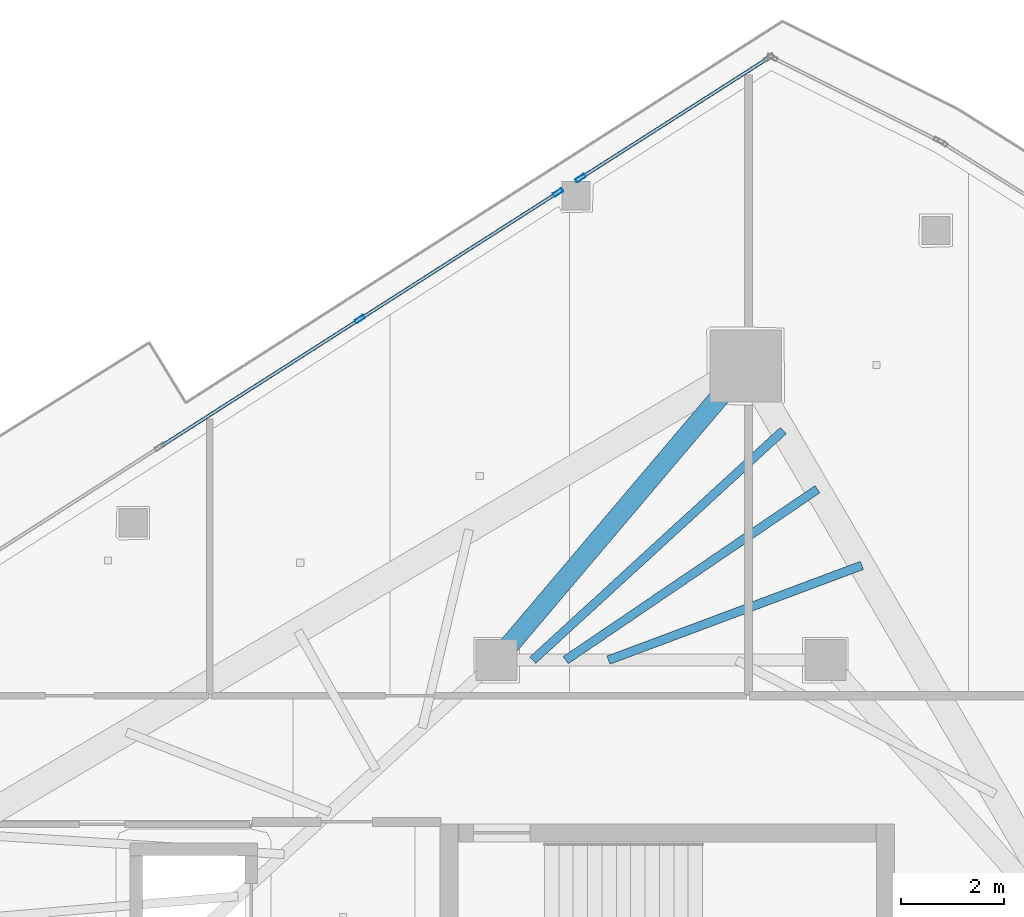
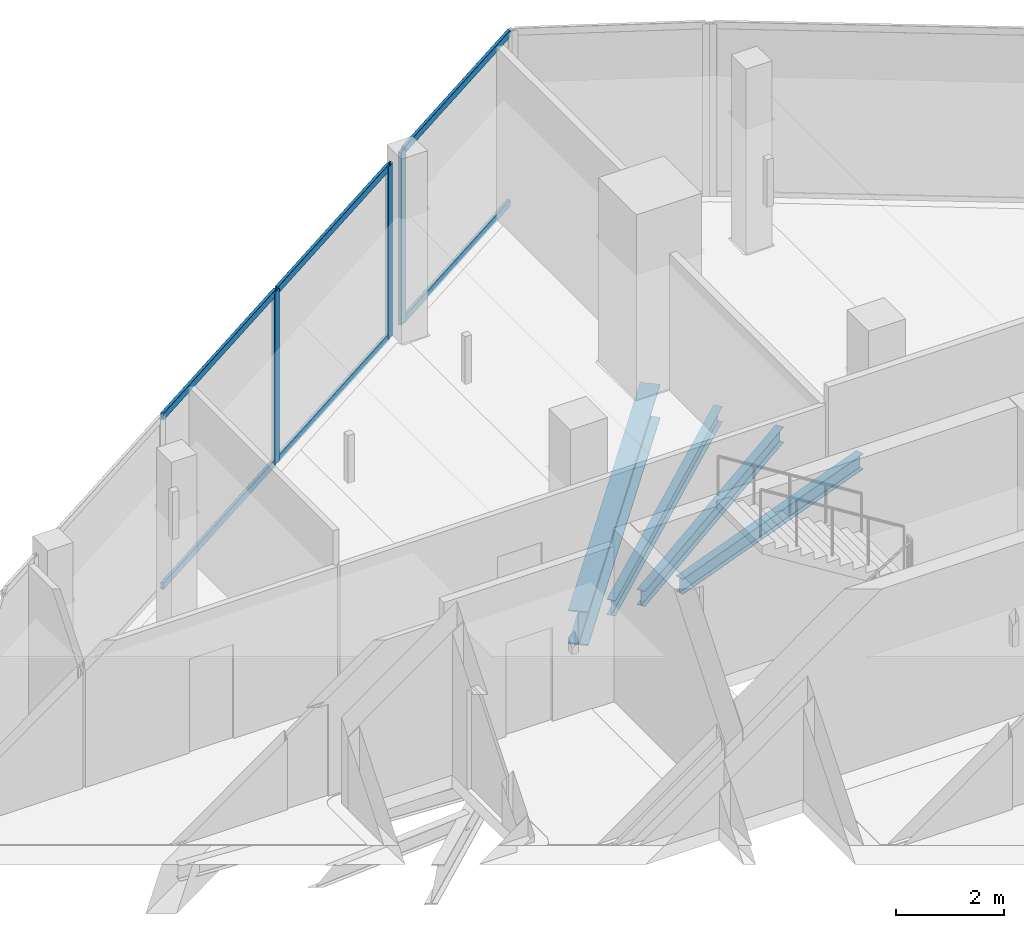
# One storey, part 15 of 27: 9 members, 4 beams, 2 elements without a shape of their own.
"""IFC4 building model written with IfcOpenShell, lengths in metres."""

from ifc_helpers import new_model, si_unit, direction, frame, origin, origin_2d, place, context, subcontext, project, spatial, hollow_rectangle, i_section, extrude, material, layer, layer_set, material_profile, profile_set, type_object, element, aggregate, save


model = new_model("IFC4")

# Units and contexts
model_context = context("Model", 3, precision=1e-05, world=origin(), true_north=direction((0.0, 1.0)))
body_context = subcontext(model_context, "Body", "Model", "MODEL_VIEW")
ifc_project = project(units=[si_unit("LENGTHUNIT", "METRE"), si_unit("AREAUNIT", "SQUARE_METRE"), si_unit("VOLUMEUNIT", "CUBIC_METRE"), si_unit("PLANEANGLEUNIT", "RADIAN"), si_unit("MASSUNIT", "GRAM", prefix="KILO")], contexts=[model_context])

# Site, building, storey
site_placement = place(None, origin())
site = spatial("IfcSite", under=ifc_project, at=site_placement, CompositionType="ELEMENT")
building_placement = place(site_placement, origin())
building = spatial("IfcBuilding", under=site, at=building_placement, Name="Qorvath Tower", CompositionType="ELEMENT")
storey_placement = place(building_placement, frame((0.0, 0.0, 293.39990234375)))
storey = spatial("IfcBuildingStorey", under=building, at=storey_placement, Name="L68", CompositionType="ELEMENT", Elevation=293.39990234375)

# Beams
ifc_material_1 = material(Name="Steel ASTM A992 Grade 50", Category="steel")
ifc_material_profile_1 = material_profile(ifc_material_1, i_section(OverallWidth=0.381103515625, OverallDepth=0.77294921875, WebThickness=0.0166015625, FlangeThickness=0.027099609375, FilletRadius=0.01904296875, at=origin_2d()), Name="W30x173")
ifc_profile_set_1 = profile_set([ifc_material_profile_1], Name="Steel ASTM A992 Grade 50")
beam_type_1 = type_object("IfcBeamType", Name="BM-FG3", PredefinedType="BEAM", material=ifc_profile_set_1)
beam_1_placement = place(storey_placement, frame((-23.60009765625, 11.449951171875, -0.67626953125), z_axis=(0.646321389876, 0.763065305848, 0.0), x_axis=(-0.763065305848, 0.646321389876, 0.0)))
element("IfcBeam", 1, at=beam_1_placement, inside=storey, type_object=beam_type_1, Name="Radial Floor Girder CC1-MC6 L68", PredefinedType="BEAM", context=body_context, shape_type="SweptSolid", body=[
    extrude(i_section(OverallWidth=0.381103515625, OverallDepth=0.77294921875, WebThickness=0.0166015625, FlangeThickness=0.027099609375, FilletRadius=0.01904296875, at=origin_2d()), origin(), (0.0, 0.0, 1.0), 7.50341796875),
])
ifc_material_2 = material(Name="Steel ASTM A992 Grade 50", Category="steel")
ifc_material_profile_2 = material_profile(ifc_material_2, i_section(OverallWidth=0.1708984375, OverallDepth=0.35107421875, WebThickness=0.0068359375, FlangeThickness=0.009765625, FilletRadius=0.010009765625, at=origin_2d()), Name="W14x30")
ifc_profile_set_2 = profile_set([ifc_material_profile_2], Name="Steel ASTM A992 Grade 50")
beam_type_2 = type_object("IfcBeamType", Name="BM-FJ4", PredefinedType="JOIST", material=ifc_profile_set_2)
beam_2_placement = place(storey_placement, frame((-21.424072265625, 11.449951171875, -0.46533203125), z_axis=(0.936775909139, 0.349929844478, 0.0), x_axis=(-0.349929844478, 0.936775909139, 0.0)))
element("IfcBeam", 2, at=beam_2_placement, inside=storey, type_object=beam_type_2, Name="Composite Floor Joist NE5 L68", PredefinedType="JOIST", context=body_context, shape_type="SweptSolid", body=[
    extrude(i_section(OverallWidth=0.1708984375, OverallDepth=0.35107421875, WebThickness=0.0068359375, FlangeThickness=0.009765625, FilletRadius=0.010009765625, at=origin_2d()), origin(), (0.0, 0.0, 1.0), 5.268798828125),
])
beam_3_placement = place(storey_placement, frame((-22.256103515625, 11.449951171875, -0.46533203125), z_axis=(0.827400561462, 0.56161224247, 0.0), x_axis=(-0.56161224247, 0.827400561462, 0.0)))
element("IfcBeam", 3, at=beam_3_placement, inside=storey, type_object=beam_type_2, Name="Composite Floor Joist NE6 L68", PredefinedType="JOIST", context=body_context, shape_type="SweptSolid", body=[
    extrude(i_section(OverallWidth=0.1708984375, OverallDepth=0.35107421875, WebThickness=0.0068359375, FlangeThickness=0.009765625, FilletRadius=0.010009765625, at=origin_2d()), origin(), (0.0, 0.0, 1.0), 5.925537109375),
])
beam_4_placement = place(storey_placement, frame((-22.89599609375, 11.449951171875, -0.46533203125), z_axis=(0.737232260457, 0.675639396528, 0.0), x_axis=(-0.675639396528, 0.737232260457, 0.0)))
element("IfcBeam", 4, at=beam_4_placement, inside=storey, type_object=beam_type_2, Name="Composite Floor Joist NE7 L68", PredefinedType="JOIST", context=body_context, shape_type="SweptSolid", body=[
    extrude(i_section(OverallWidth=0.1708984375, OverallDepth=0.35107421875, WebThickness=0.0068359375, FlangeThickness=0.009765625, FilletRadius=0.010009765625, at=origin_2d()), origin(), (0.0, 0.0, 1.0), 6.615478515625),
])

# Curtain wall, member
ifc_material_3 = material(Name="Anodised aluminium and triple low-E glass", Category="aluminium")
ifc_layer = layer(ifc_material_3, 0.179931640625)
ifc_layer_set = layer_set([ifc_layer], Name="CW-SYS-5")
curtain_wall_type = type_object("IfcCurtainWallType", Name="CW-SYS-5", PredefinedType="NOTDEFINED", material=ifc_layer_set)
curtain_wall_1_placement = place(storey_placement, origin())
curtain_wall_1 = element("IfcCurtainWall", 5, at=curtain_wall_1_placement, inside=storey, type_object=curtain_wall_type, Name="Curtain Wall CW-5 CW-T-L68-16.1", PredefinedType="NOTDEFINED")
ifc_material_4 = material(Name="Anodised aluminium 6063-T6", Category="aluminium")
ifc_material_profile_3 = material_profile(ifc_material_4, hollow_rectangle(XDim=0.074951171875, YDim=0.199951171875, WallThickness=0.00390625, InnerFilletRadius=0.00390625, OuterFilletRadius=0.008056640625, at=origin_2d()), Name="CWM 200x75")
ifc_profile_set_3 = profile_set([ifc_material_profile_3], Name="Anodised aluminium 6063-T6")
member_type_1 = type_object("IfcMemberType", Name="CWM-200", PredefinedType="MULLION", material=ifc_profile_set_3)
member_1_placement = place(storey_placement, frame((-21.968505859375, 20.835205078125, 0.0), z_axis=(0.0, 0.0, 1.0), x_axis=(0.53854195168, -0.842598698243, 0.0)))
member_1 = element("IfcMember", 6, at=member_1_placement, type_object=member_type_1, Name="CW-5 mullion 2", PredefinedType="MULLION", context=body_context, shape_type="SweptSolid", body=[
    extrude(hollow_rectangle(XDim=0.074951171875, YDim=0.199951171875, WallThickness=0.00390625, InnerFilletRadius=0.00390625, OuterFilletRadius=0.008056640625, at=origin_2d()), origin(), (0.0, 0.0, 1.0), 3.91015625),
])

# Curtain wall, members
curtain_wall_2_placement = place(storey_placement, origin())
curtain_wall_2 = element("IfcCurtainWall", 7, at=curtain_wall_2_placement, inside=storey, type_object=curtain_wall_type, Name="Curtain Wall CW-5 CW-T-L68-16.2", PredefinedType="NOTDEFINED")
member_2_placement = place(storey_placement, frame((-22.40478515625, 20.55615234375, 0.0), z_axis=(0.0, 0.0, 1.0), x_axis=(0.538534157957, -0.842603679504, 0.0)))
member_2 = element("IfcMember", 8, at=member_2_placement, type_object=member_type_1, Name="CW-5 mullion 1", PredefinedType="MULLION", context=body_context, shape_type="SweptSolid", body=[
    extrude(hollow_rectangle(XDim=0.074951171875, YDim=0.199951171875, WallThickness=0.00390625, InnerFilletRadius=0.00390625, OuterFilletRadius=0.008056640625, at=origin_2d()), origin(), (0.0, 0.0, 1.0), 3.91015625),
])
member_3_placement = place(storey_placement, frame((-26.26611328125, 18.08837890625, 0.0), z_axis=(0.0, 0.0, 1.0), x_axis=(0.538534157957, -0.842603679504, 0.0)))
member_3 = element("IfcMember", 9, at=member_3_placement, type_object=member_type_1, Name="CW-5 mullion 2", PredefinedType="MULLION", context=body_context, shape_type="SweptSolid", body=[
    extrude(hollow_rectangle(XDim=0.074951171875, YDim=0.199951171875, WallThickness=0.00390625, InnerFilletRadius=0.00390625, OuterFilletRadius=0.008056640625, at=origin_2d()), origin(), (0.0, 0.0, 1.0), 3.91015625),
])

# Member
ifc_material_5 = material(Name="Anodised aluminium 6063-T6", Category="aluminium")
ifc_material_profile_4 = material_profile(ifc_material_5, hollow_rectangle(XDim=0.06494140625, YDim=0.159912109375, WallThickness=0.00341796875, InnerFilletRadius=0.00341796875, OuterFilletRadius=0.007080078125, at=origin_2d()), Name="CWT 160x65")
ifc_profile_set_4 = profile_set([ifc_material_profile_4], Name="Anodised aluminium 6063-T6")
member_type_2 = type_object("IfcMemberType", Name="CWT-160", PredefinedType="USERDEFINED", material=ifc_profile_set_4)
member_4_placement = place(storey_placement, frame((-18.329345703125, 23.160888671875, 0.032470703125), z_axis=(-0.842598506974, -0.538542250938, 0.0), x_axis=(0.538542250938, -0.842598506974, 0.0)))
member_4 = element("IfcMember", 10, at=member_4_placement, type_object=member_type_2, Name="CW-5 transom 1.1", ObjectType="TRANSOM", PredefinedType="USERDEFINED", context=body_context, shape_type="SweptSolid", body=[
    extrude(hollow_rectangle(XDim=0.06494140625, YDim=0.159912109375, WallThickness=0.00341796875, InnerFilletRadius=0.00341796875, OuterFilletRadius=0.007080078125, at=origin_2d()), origin(), (0.0, 0.0, 1.0), 4.28125),
])

member_5_placement = place(storey_placement, frame((-18.329345703125, 23.160888671875, 3.877685546875), z_axis=(-0.842598506974, -0.538542250938, 0.0), x_axis=(0.538542250938, -0.842598506974, 0.0)))
member_5 = element("IfcMember", 11, at=member_5_placement, type_object=member_type_2, Name="CW-5 transom 1.2", ObjectType="TRANSOM", PredefinedType="USERDEFINED", context=body_context, shape_type="SweptSolid", body=[
    extrude(hollow_rectangle(XDim=0.06494140625, YDim=0.159912109375, WallThickness=0.00341796875, InnerFilletRadius=0.00341796875, OuterFilletRadius=0.007080078125, at=origin_2d()), origin(), (0.0, 0.0, 1.0), 4.28125),
])

aggregate(curtain_wall_1, [member_1, member_4, member_5])

member_6_placement = place(storey_placement, frame((-22.4365234375, 20.535888671875, 0.032470703125), z_axis=(-0.842611601504, -0.538521762802, 0.0), x_axis=(0.538521762802, -0.842611601504, 0.0)))
member_6 = element("IfcMember", 12, at=member_6_placement, type_object=member_type_2, Name="CW-5 transom 1.1", ObjectType="TRANSOM", PredefinedType="USERDEFINED", context=body_context, shape_type="SweptSolid", body=[
    extrude(hollow_rectangle(XDim=0.06494140625, YDim=0.159912109375, WallThickness=0.00341796875, InnerFilletRadius=0.00341796875, OuterFilletRadius=0.007080078125, at=origin_2d()), origin(), (0.0, 0.0, 1.0), 4.50732421875),
])

member_7_placement = place(storey_placement, frame((-22.4365234375, 20.535888671875, 3.877685546875), z_axis=(-0.842611601504, -0.538521762802, 0.0), x_axis=(0.538521762802, -0.842611601504, 0.0)))
member_7 = element("IfcMember", 13, at=member_7_placement, type_object=member_type_2, Name="CW-5 transom 1.2", ObjectType="TRANSOM", PredefinedType="USERDEFINED", context=body_context, shape_type="SweptSolid", body=[
    extrude(hollow_rectangle(XDim=0.06494140625, YDim=0.159912109375, WallThickness=0.00341796875, InnerFilletRadius=0.00341796875, OuterFilletRadius=0.007080078125, at=origin_2d()), origin(), (0.0, 0.0, 1.0), 4.50732421875),
])

member_8_placement = place(storey_placement, frame((-26.297607421875, 18.068359375, 0.032470703125), z_axis=(-0.842589282103, -0.538556683818, 0.0), x_axis=(0.538556683818, -0.842589282103, 0.0)))
member_8 = element("IfcMember", 14, at=member_8_placement, type_object=member_type_2, Name="CW-5 transom 2.1", ObjectType="TRANSOM", PredefinedType="USERDEFINED", context=body_context, shape_type="SweptSolid", body=[
    extrude(hollow_rectangle(XDim=0.06494140625, YDim=0.159912109375, WallThickness=0.00341796875, InnerFilletRadius=0.00341796875, OuterFilletRadius=0.007080078125, at=origin_2d()), origin(), (0.0, 0.0, 1.0), 4.544921875),
])

member_9_placement = place(storey_placement, frame((-26.297607421875, 18.068359375, 3.877685546875), z_axis=(-0.842589282103, -0.538556683818, 0.0), x_axis=(0.538556683818, -0.842589282103, 0.0)))
member_9 = element("IfcMember", 15, at=member_9_placement, type_object=member_type_2, Name="CW-5 transom 2.2", ObjectType="TRANSOM", PredefinedType="USERDEFINED", context=body_context, shape_type="SweptSolid", body=[
    extrude(hollow_rectangle(XDim=0.06494140625, YDim=0.159912109375, WallThickness=0.00341796875, InnerFilletRadius=0.00341796875, OuterFilletRadius=0.007080078125, at=origin_2d()), origin(), (0.0, 0.0, 1.0), 4.544921875),
])

aggregate(curtain_wall_2, [member_2, member_3, member_6, member_7, member_8, member_9])

save(model, "model.ifc")
